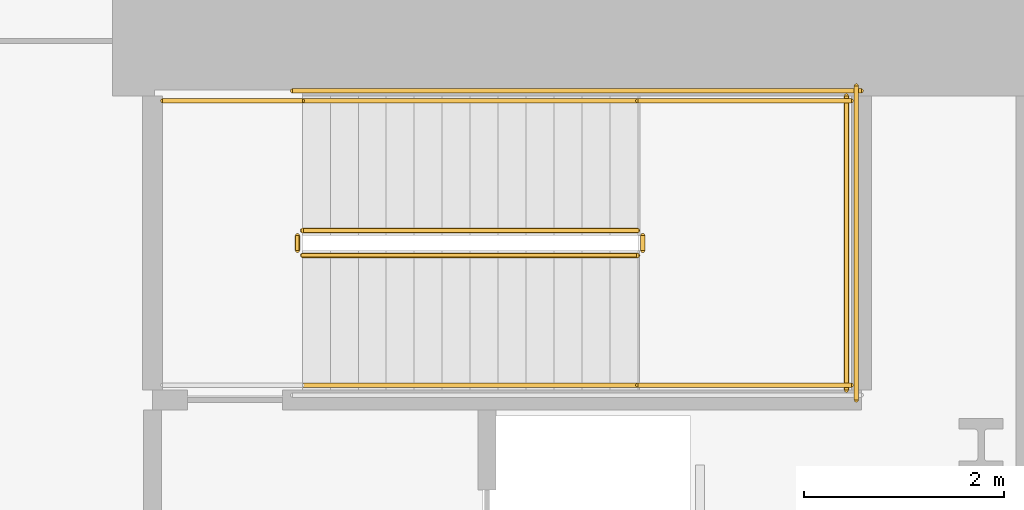
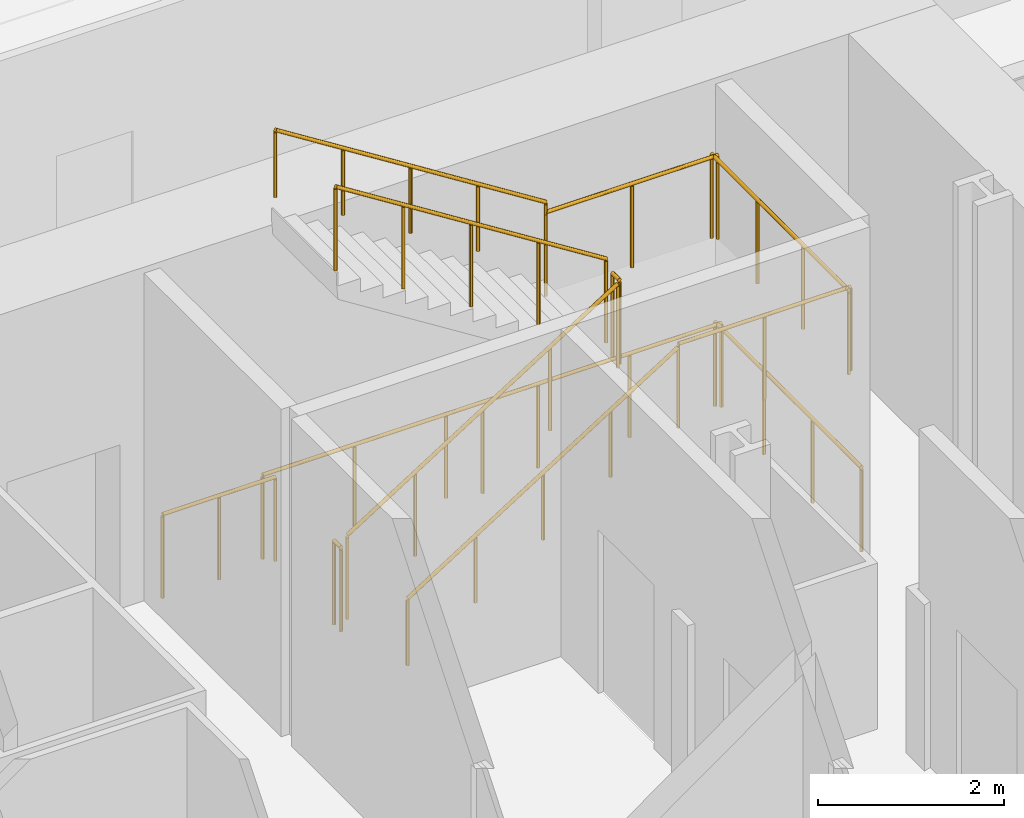
# One storey, part 21 of 24: 12 railings.
"""IFC4 building model written with IfcOpenShell, lengths in metres."""

from ifc_helpers import new_model, si_unit, direction, frame, origin, origin_2d, place, context, subcontext, project, spatial, circle, extrude, material, type_object, element, save


model = new_model("IFC4")

# Units and contexts
model_context = context("Model", 3, precision=1e-05, world=origin(), true_north=direction((0.0, 1.0)))
body_context = subcontext(model_context, "Body", "Model", "MODEL_VIEW")
ifc_project = project(units=[si_unit("LENGTHUNIT", "METRE"), si_unit("AREAUNIT", "SQUARE_METRE"), si_unit("VOLUMEUNIT", "CUBIC_METRE"), si_unit("PLANEANGLEUNIT", "RADIAN"), si_unit("MASSUNIT", "GRAM", prefix="KILO")], contexts=[model_context])

# Site, building, storey
site_placement = place(None, origin())
site = spatial("IfcSite", under=ifc_project, at=site_placement, CompositionType="ELEMENT")
building_placement = place(site_placement, origin())
building = spatial("IfcBuilding", under=site, at=building_placement, Name="Valkerne Bourse Tower", CompositionType="ELEMENT")
storey_placement = place(building_placement, frame((0.0, 0.0, 19.39990234375)))
storey = spatial("IfcBuildingStorey", under=building, at=storey_placement, Name="L04", CompositionType="ELEMENT", Elevation=19.39990234375)

# Railings
ifc_material_1 = material(Name="Galvanised Painted Steel", Category="steel")
railing_type_1 = type_object("IfcRailingType", Name="RLG-ST-GUARD-1120", PredefinedType="GUARDRAIL", material=ifc_material_1)
railing_1_placement = place(storey_placement, frame((48.14990234375, 33.550048828125, 0.177001953125)))
element("IfcRailing", 1, at=railing_1_placement, inside=storey, type_object=railing_type_1, Name="L04 ST-2 stair guard 1", PredefinedType="GUARDRAIL", context=body_context, shape_type="SweptSolid", body=[
    extrude(circle(Radius=0.02392578125, at=origin_2d()), frame((0.0, 0.0, 1.09619140625), z_axis=(0.845389635667, 0.0, 0.534150132366), x_axis=(0.0, 1.0, 0.0)), (0.0, 0.0, 1.0), 3.974609375),
    extrude(circle(Radius=0.02099609375, at=origin_2d()), origin(), (0.0, 0.0, 1.0), 1.072021484375),
    extrude(circle(Radius=0.02099609375, at=origin_2d()), frame((0.840087890625, 0.0, 0.53076171875)), (0.0, 0.0, 1.0), 1.072021484375),
    extrude(circle(Radius=0.02099609375, at=origin_2d()), frame((1.68017578125, 0.0, 1.0615234375)), (0.0, 0.0, 1.0), 1.072021484375),
    extrude(circle(Radius=0.02099609375, at=origin_2d()), frame((2.52001953125, 0.0, 1.59228515625)), (0.0, 0.0, 1.0), 1.072021484375),
    extrude(circle(Radius=0.02099609375, at=origin_2d()), frame((3.360107421875, 0.0, 2.123046875)), (0.0, 0.0, 1.0), 1.072021484375),
])
railing_2_placement = place(storey_placement, frame((51.56005859375, 33.60009765625, 2.300048828125)))
element("IfcRailing", 2, at=railing_2_placement, inside=storey, type_object=railing_type_1, Name="L04 ST-2 stair guard 2", PredefinedType="GUARDRAIL", context=body_context, shape_type="SweptSolid", body=[
    extrude(circle(Radius=0.02392578125, at=origin_2d()), frame((0.0, 0.0, 1.09619140625), z_axis=(0.0, 1.0, 0.0), x_axis=(-1.0, 0.0, 0.0)), (0.0, 0.0, 1.0), 0.14990234375),
    extrude(circle(Radius=0.02099609375, at=origin_2d()), origin(), (0.0, 0.0, 1.0), 1.072021484375),
    extrude(circle(Radius=0.02099609375, at=origin_2d()), frame((0.0, 0.14990234375, 0.0)), (0.0, 0.0, 1.0), 1.072021484375),
])
for number, where, name in (
    (3, (51.510009765625, 32.25, 2.300048828125), "L04 ST-2 stair guard 3"),
    (4, (51.510009765625, 35.10009765625, 2.300048828125), "L04 ST-2 stair guard 4"),
):
    element("IfcRailing", number, at=place(storey_placement, frame(where)), inside=storey, type_object=railing_type_1, Name=name, PredefinedType="GUARDRAIL", context=body_context, shape_type="SweptSolid", body=[
        extrude(circle(Radius=0.02392578125, at=origin_2d()), frame((0.0, 0.0, 1.09619140625), z_axis=(1.0, 0.0, 0.0), x_axis=(0.0, 1.0, 0.0)), (0.0, 0.0, 1.0), 2.139892578125),
        extrude(circle(Radius=0.02099609375, at=origin_2d()), origin(), (0.0, 0.0, 1.0), 1.072021484375),
        extrude(circle(Radius=0.02099609375, at=origin_2d()), frame((1.06982421875, 0.0, 0.0)), (0.0, 0.0, 1.0), 1.072021484375),
        extrude(circle(Radius=0.02099609375, at=origin_2d()), frame((2.139892578125, 0.0, 0.0)), (0.0, 0.0, 1.0), 1.072021484375),
    ])
railing_3_placement = place(storey_placement, frame((53.60009765625, 32.199951171875, 2.300048828125)))
element("IfcRailing", 5, at=railing_3_placement, inside=storey, type_object=railing_type_1, Name="L04 ST-2 stair guard 5", PredefinedType="GUARDRAIL", context=body_context, shape_type="SweptSolid", body=[
    extrude(circle(Radius=0.02392578125, at=origin_2d()), frame((0.0, 0.0, 1.09619140625), z_axis=(0.0, 1.0, 0.0), x_axis=(-1.0, 0.0, 0.0)), (0.0, 0.0, 1.0), 2.949951171875),
    extrude(circle(Radius=0.02099609375, at=origin_2d()), origin(), (0.0, 0.0, 1.0), 1.072021484375),
    extrude(circle(Radius=0.02099609375, at=origin_2d()), frame((0.0, 0.9833984375, 0.0)), (0.0, 0.0, 1.0), 1.072021484375),
    extrude(circle(Radius=0.02099609375, at=origin_2d()), frame((0.0, 1.966552734375, 0.0)), (0.0, 0.0, 1.0), 1.072021484375),
    extrude(circle(Radius=0.02099609375, at=origin_2d()), frame((0.0, 2.949951171875, 0.0)), (0.0, 0.0, 1.0), 1.072021484375),
])
railing_4_placement = place(storey_placement, frame((51.510009765625, 33.800048828125, 2.47705078125)))
element("IfcRailing", 6, at=railing_4_placement, inside=storey, type_object=railing_type_1, Name="L04 ST-2 stair guard 6", PredefinedType="GUARDRAIL", context=body_context, shape_type="SweptSolid", body=[
    extrude(circle(Radius=0.02392578125, at=origin_2d()), frame((0.0, 0.0, 1.09619140625), z_axis=(-0.845389635667, 0.0, 0.534150132366), x_axis=(0.0, -1.0, 0.0)), (0.0, 0.0, 1.0), 3.974609375),
    extrude(circle(Radius=0.02099609375, at=origin_2d()), origin(), (0.0, 0.0, 1.0), 1.072021484375),
    extrude(circle(Radius=0.02099609375, at=origin_2d()), frame((-0.840087890625, 0.0, 0.53076171875)), (0.0, 0.0, 1.0), 1.072021484375),
    extrude(circle(Radius=0.02099609375, at=origin_2d()), frame((-1.68017578125, 0.0, 1.0615234375)), (0.0, 0.0, 1.0), 1.072021484375),
    extrude(circle(Radius=0.02099609375, at=origin_2d()), frame((-2.52001953125, 0.0, 1.59228515625)), (0.0, 0.0, 1.0), 1.072021484375),
    extrude(circle(Radius=0.02099609375, at=origin_2d()), frame((-3.360107421875, 0.0, 2.123046875)), (0.0, 0.0, 1.0), 1.072021484375),
])
railing_5_placement = place(storey_placement, frame((48.10009765625, 33.60009765625, 0.0)))
element("IfcRailing", 7, at=railing_5_placement, inside=storey, type_object=railing_type_1, Name="L04 ST-2 stair guard 7", PredefinedType="GUARDRAIL", context=body_context, shape_type="SweptSolid", body=[
    extrude(circle(Radius=0.02392578125, at=origin_2d()), frame((0.0, 0.0, 1.09619140625), z_axis=(0.0, 1.0, 0.0), x_axis=(-1.0, 0.0, 0.0)), (0.0, 0.0, 1.0), 0.14990234375),
    extrude(circle(Radius=0.02099609375, at=origin_2d()), origin(), (0.0, 0.0, 1.0), 1.072021484375),
    extrude(circle(Radius=0.02099609375, at=origin_2d()), frame((0.0, 0.14990234375, 0.0)), (0.0, 0.0, 1.0), 1.072021484375),
])
railing_6_placement = place(storey_placement, frame((46.75, 35.10009765625, 0.0)))
element("IfcRailing", 8, at=railing_6_placement, inside=storey, type_object=railing_type_1, Name="L04 ST-2 stair guard 9", PredefinedType="GUARDRAIL", context=body_context, shape_type="SweptSolid", body=[
    extrude(circle(Radius=0.02392578125, at=origin_2d()), frame((0.0, 0.0, 1.09619140625), z_axis=(1.0, 0.0, 0.0), x_axis=(0.0, 1.0, 0.0)), (0.0, 0.0, 1.0), 1.39990234375),
    extrude(circle(Radius=0.02099609375, at=origin_2d()), origin(), (0.0, 0.0, 1.0), 1.072021484375),
    extrude(circle(Radius=0.02099609375, at=origin_2d()), frame((0.699951171875, 0.0, 0.0)), (0.0, 0.0, 1.0), 1.072021484375),
    extrude(circle(Radius=0.02099609375, at=origin_2d()), frame((1.39990234375, 0.0, 0.0)), (0.0, 0.0, 1.0), 1.072021484375),
])
railing_7_placement = place(storey_placement, frame((48.050048828125, 35.199951171875, 0.0)))
element("IfcRailing", 9, at=railing_7_placement, inside=storey, type_object=railing_type_1, Name="L04 ST-2 stair guard 11", PredefinedType="GUARDRAIL", context=body_context, shape_type="SweptSolid", body=[
    extrude(circle(Radius=0.02392578125, at=origin_2d()), frame((0.0, 0.0, 1.09619140625), z_axis=(1.0, 0.0, 0.0), x_axis=(0.0, 1.0, 0.0)), (0.0, 0.0, 1.0), 5.699951171875),
    extrude(circle(Radius=0.02099609375, at=origin_2d()), origin(), (0.0, 0.0, 1.0), 1.072021484375),
    extrude(circle(Radius=0.02099609375, at=origin_2d()), frame((1.139892578125, 0.0, 0.0)), (0.0, 0.0, 1.0), 1.072021484375),
    extrude(circle(Radius=0.02099609375, at=origin_2d()), frame((2.280029296875, 0.0, 0.0)), (0.0, 0.0, 1.0), 1.072021484375),
    extrude(circle(Radius=0.02099609375, at=origin_2d()), frame((3.419921875, 0.0, 0.0)), (0.0, 0.0, 1.0), 1.072021484375),
    extrude(circle(Radius=0.02099609375, at=origin_2d()), frame((4.56005859375, 0.0, 0.0)), (0.0, 0.0, 1.0), 1.072021484375),
    extrude(circle(Radius=0.02099609375, at=origin_2d()), frame((5.699951171875, 0.0, 0.0)), (0.0, 0.0, 1.0), 1.072021484375),
])
railing_8_placement = place(storey_placement, frame((53.699951171875, 32.10009765625, 0.0)))
element("IfcRailing", 10, at=railing_8_placement, inside=storey, type_object=railing_type_1, Name="L04 ST-2 stair guard 12", PredefinedType="GUARDRAIL", context=body_context, shape_type="SweptSolid", body=[
    extrude(circle(Radius=0.02392578125, at=origin_2d()), frame((0.0, 0.0, 1.09619140625), z_axis=(0.0, 1.0, 0.0), x_axis=(-1.0, 0.0, 0.0)), (0.0, 0.0, 1.0), 3.14990234375),
    extrude(circle(Radius=0.02099609375, at=origin_2d()), origin(), (0.0, 0.0, 1.0), 1.072021484375),
    extrude(circle(Radius=0.02099609375, at=origin_2d()), frame((0.0, 1.050048828125, 0.0)), (0.0, 0.0, 1.0), 1.072021484375),
    extrude(circle(Radius=0.02099609375, at=origin_2d()), frame((0.0, 2.099853515625, 0.0)), (0.0, 0.0, 1.0), 1.072021484375),
    extrude(circle(Radius=0.02099609375, at=origin_2d()), frame((0.0, 3.14990234375, 0.0)), (0.0, 0.0, 1.0), 1.072021484375),
])
ifc_material_2 = material(Name="Stainless Steel AISI 316", Category="steel")
railing_type_2 = type_object("IfcRailingType", Name="RLG-ST-HANDRAIL-900", PredefinedType="HANDRAIL", material=ifc_material_2)
railing_9_placement = place(storey_placement, frame((48.14990234375, 32.25, 0.35400390625)))
element("IfcRailing", 11, at=railing_9_placement, inside=storey, type_object=railing_type_2, Name="L04 ST-2 stair handrail 1", PredefinedType="HANDRAIL", context=body_context, shape_type="SweptSolid", body=[
    extrude(circle(Radius=0.02392578125, at=origin_2d()), frame((0.0, 0.0, 0.8759765625), z_axis=(0.845389635667, 0.0, 0.534150132366), x_axis=(0.0, 1.0, 0.0)), (0.0, 0.0, 1.0), 3.974609375),
    extrude(circle(Radius=0.02099609375, at=origin_2d()), origin(), (0.0, 0.0, 1.0), 0.851806640625),
    extrude(circle(Radius=0.02099609375, at=origin_2d()), frame((0.840087890625, 0.0, 0.53076171875)), (0.0, 0.0, 1.0), 0.851806640625),
    extrude(circle(Radius=0.02099609375, at=origin_2d()), frame((1.68017578125, 0.0, 1.0615234375)), (0.0, 0.0, 1.0), 0.851806640625),
    extrude(circle(Radius=0.02099609375, at=origin_2d()), frame((2.52001953125, 0.0, 1.59228515625)), (0.0, 0.0, 1.0), 0.851806640625),
    extrude(circle(Radius=0.02099609375, at=origin_2d()), frame((3.360107421875, 0.0, 2.123046875)), (0.0, 0.0, 1.0), 0.851806640625),
])
railing_10_placement = place(storey_placement, frame((51.510009765625, 35.10009765625, 2.654052734375)))
element("IfcRailing", 12, at=railing_10_placement, inside=storey, type_object=railing_type_2, Name="L04 ST-2 stair handrail 2", PredefinedType="HANDRAIL", context=body_context, shape_type="SweptSolid", body=[
    extrude(circle(Radius=0.02392578125, at=origin_2d()), frame((0.0, 0.0, 0.8759765625), z_axis=(-0.845389635667, 0.0, 0.534150132366), x_axis=(0.0, -1.0, 0.0)), (0.0, 0.0, 1.0), 3.974609375),
    extrude(circle(Radius=0.02099609375, at=origin_2d()), origin(), (0.0, 0.0, 1.0), 0.851806640625),
    extrude(circle(Radius=0.02099609375, at=origin_2d()), frame((-0.840087890625, 0.0, 0.53076171875)), (0.0, 0.0, 1.0), 0.851806640625),
    extrude(circle(Radius=0.02099609375, at=origin_2d()), frame((-1.68017578125, 0.0, 1.0615234375)), (0.0, 0.0, 1.0), 0.851806640625),
    extrude(circle(Radius=0.02099609375, at=origin_2d()), frame((-2.52001953125, 0.0, 1.59228515625)), (0.0, 0.0, 1.0), 0.851806640625),
    extrude(circle(Radius=0.02099609375, at=origin_2d()), frame((-3.360107421875, 0.0, 2.123046875)), (0.0, 0.0, 1.0), 0.851806640625),
])

save(model, "model.ifc")
